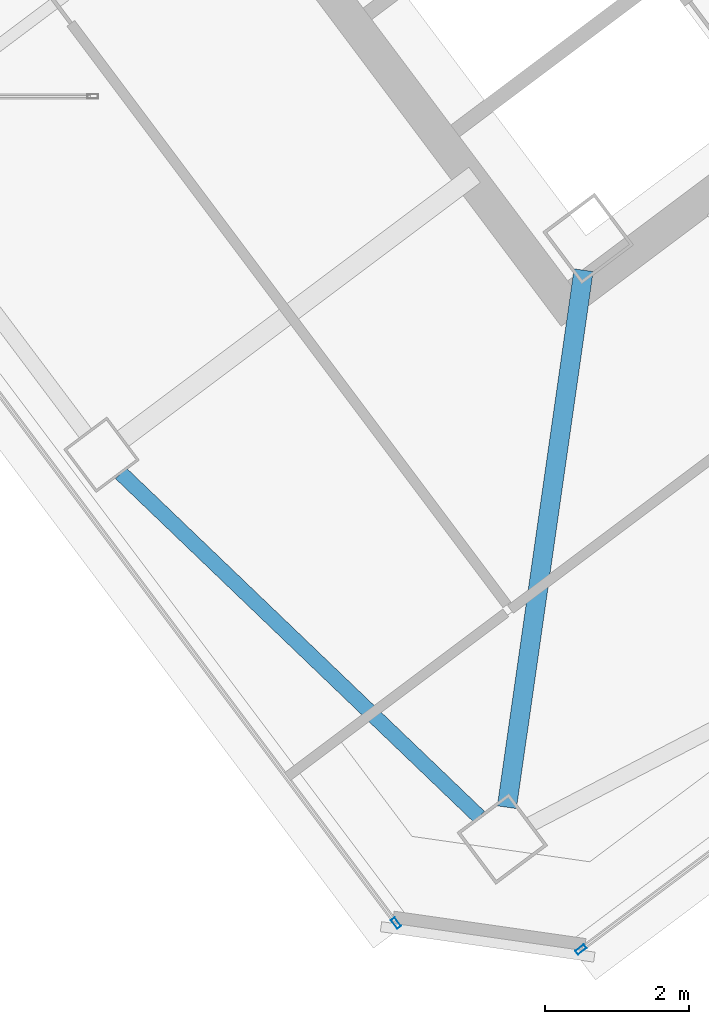
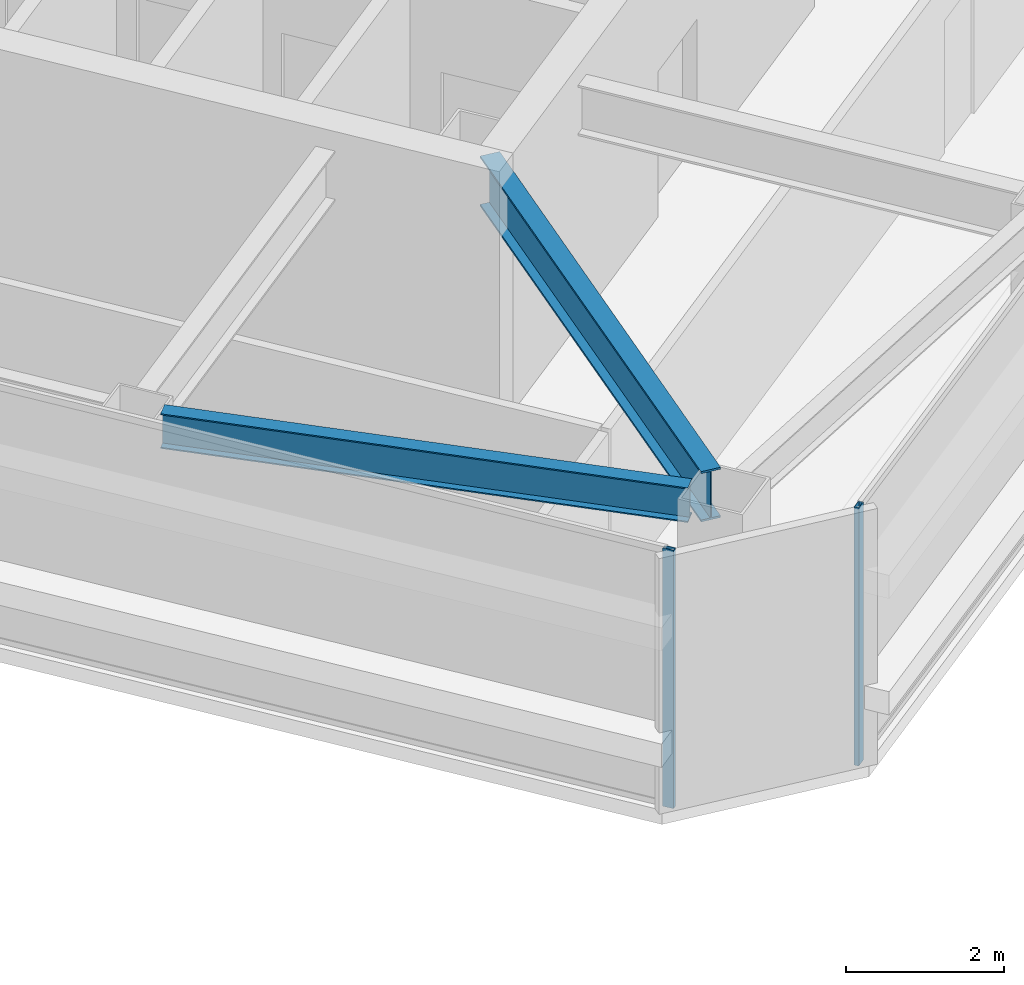
# One storey, part 28 of 51: 2 beams, 2 members, 2 elements without a shape of their own.
"""IFC4 building model written with IfcOpenShell, lengths in metres."""

import ifcopenshell
import ifcopenshell.guid

model = None  # the IFC model being written
_history = None  # IfcOwnerHistory: only IFC2X3 demands one
_inside = {}  # id of a spatial element -> (the spatial element, [elements in it])
_under = {}  # id of a project, library or spatial element -> (it, [spatial elements below it])
_declared = {}  # id of a project -> (the project, [libraries it declares])
_typed = {}  # id of a type object -> (the type object, [elements of that type])
_made_of = {}  # id of a material, layer set ... -> (it, [elements and type objects made of it])


def new_model(schema):
    """Start an empty IFC model of exactly this schema.

    Asked for "IFC4X3", IfcOpenShell would pick the latest addendum, in which some entities
    have other attributes; the version numbers below select the first issue.
    IFC2X3 requires an IfcOwnerHistory on every rooted entity: one is made here for all.
    """
    global model, _history
    if schema == "IFC4X3":
        model = ifcopenshell.file(schema_version=(4, 3, 0, 0))
    else:
        model = ifcopenshell.file(schema=schema)
    _inside.clear()
    _under.clear()
    _declared.clear()
    _typed.clear()
    _made_of.clear()
    _history = None
    if model.schema == "IFC2X3":
        org = make("IfcOrganization", Name="unknown")
        user = make(
            "IfcPersonAndOrganization",
            ThePerson=make("IfcPerson", FamilyName="unknown"),
            TheOrganization=org,
        )
        app = make(
            "IfcApplication",
            ApplicationDeveloper=org,
            Version="unknown",
            ApplicationFullName="unknown",
            ApplicationIdentifier="unknown",
        )
        _history = make(
            "IfcOwnerHistory",
            OwningUser=user,
            OwningApplication=app,
            ChangeAction="ADDED",
            CreationDate=0,
        )
    return model


def make(cls, **values):
    """One entity of the class cls with the attributes given. An attribute that is None is left unset."""
    return model.create_entity(
        cls, **{name: value for name, value in values.items() if value is not None}
    )


def rooted(cls, **values):
    """An entity with a GlobalId (a new one), such as an element, a storey or a relation."""
    return make(cls, GlobalId=ifcopenshell.guid.new(), OwnerHistory=_history, **values)


def si_unit(unit_type, name, prefix=None):
    """IfcSIUnit, for example si_unit("LENGTHUNIT", "METRE", prefix="MILLI")."""
    return make("IfcSIUnit", UnitType=unit_type, Prefix=prefix, Name=name)


def assignment(units):
    """IfcUnitAssignment: the units of a project."""
    return None if units is None else make("IfcUnitAssignment", Units=units)


def point(xyz):
    """IfcCartesianPoint."""
    return None if xyz is None else make("IfcCartesianPoint", Coordinates=xyz)


def direction(xyz):
    """IfcDirection."""
    return None if xyz is None else make("IfcDirection", DirectionRatios=xyz)


def frame(location, z_axis=None, x_axis=None):
    """IfcAxis2Placement3D, a coordinate frame: its origin and axes. An axis left out is left unset."""
    return make(
        "IfcAxis2Placement3D",
        Location=point(location),
        Axis=direction(z_axis),
        RefDirection=direction(x_axis),
    )


def frame_2d(location, x_axis=None):
    """IfcAxis2Placement2D, a coordinate frame in the plane: its origin and x axis."""
    return make(
        "IfcAxis2Placement2D", Location=point(location), RefDirection=direction(x_axis)
    )


def origin():
    """The frame at (0, 0, 0) with its axes left unset."""
    return frame((0.0, 0.0, 0.0))


def origin_2d():
    """The frame at (0, 0) in the plane with its x axis left unset."""
    return frame_2d((0.0, 0.0))


def place(relative_to, where):
    """IfcLocalPlacement: puts the frame where relative to a parent placement (None: the world)."""
    return make(
        "IfcLocalPlacement", PlacementRelTo=relative_to, RelativePlacement=where
    )


def context(
    kind, dimensions, precision=None, world=None, true_north=None, identifier=None
):
    """IfcGeometricRepresentationContext, for example the 3D "Model" context."""
    return make(
        "IfcGeometricRepresentationContext",
        ContextIdentifier=identifier,
        ContextType=kind,
        CoordinateSpaceDimension=dimensions,
        Precision=precision,
        WorldCoordinateSystem=world,
        TrueNorth=true_north,
    )


def subcontext(parent, identifier, kind, view, scale=None):
    """IfcGeometricRepresentationSubContext, for example "Body" below "Model"."""
    return make(
        "IfcGeometricRepresentationSubContext",
        ContextIdentifier=identifier,
        ContextType=kind,
        ParentContext=parent,
        TargetScale=scale,
        TargetView=view,
    )


def project(units=None, contexts=None):
    """IfcProject with its units and contexts."""
    return rooted(
        "IfcProject",
        Name="project",
        RepresentationContexts=contexts,
        UnitsInContext=assignment(units),
    )


def spatial(cls, under=None, at=None, **own):
    """A site, building, storey or space (cls), placed at a placement, below another one or the project."""
    s = rooted(cls, ObjectPlacement=at, **own)
    if under is not None:
        _under.setdefault(under.id(), (under, []))[1].append(s)
    return s


def profile(cls, at=None, kind="AREA", **sizes):
    """A parametric profile (cls). Its sizes go by their IFC names, for example OverallWidth=200.0."""
    return make(cls, ProfileType=kind, Position=at, **sizes)


def hollow_rectangle(**sizes):
    """IfcRectangleHollowProfileDef."""
    return profile("IfcRectangleHollowProfileDef", **sizes)


def i_section(**sizes):
    """IfcIShapeProfileDef."""
    return profile("IfcIShapeProfileDef", **sizes)


def extrude(swept, where, along, depth):
    """IfcExtrudedAreaSolid: the profile swept, set in the frame where, extruded along a direction by depth."""
    return make(
        "IfcExtrudedAreaSolid",
        SweptArea=swept,
        Position=where,
        ExtrudedDirection=direction(along),
        Depth=depth,
    )


def shape(context_of_items, identifier, shape_type, items):
    """IfcShapeRepresentation: the items that make up one representation, for example the "Body"."""
    return make(
        "IfcShapeRepresentation",
        ContextOfItems=context_of_items,
        RepresentationIdentifier=identifier,
        RepresentationType=shape_type,
        Items=items,
    )


def material(Name=None, Category=None):
    """IfcMaterial."""
    return make("IfcMaterial", Name=Name, Category=Category)


def material_profile(
    of_material, cross_section, Name=None, Category=None, Priority=None
):
    """IfcMaterialProfile: a cross section and its material."""
    return make(
        "IfcMaterialProfile",
        Name=Name,
        Material=of_material,
        Profile=cross_section,
        Priority=Priority,
        Category=Category,
    )


def profile_set(profiles, Name=None, composite=None):
    """IfcMaterialProfileSet."""
    return make(
        "IfcMaterialProfileSet",
        Name=Name,
        MaterialProfiles=profiles,
        CompositeProfile=composite,
    )


def made_of(thing, what):
    """Note that an element or type object is made of a material, layer set ...; save() writes the relation."""
    if what is not None:
        _made_of.setdefault(what.id(), (what, []))[1].append(thing)
    return thing


def type_object(cls, material=None, **own):
    """A type object (cls), such as IfcWallType, which elements share."""
    return made_of(rooted(cls, **own), material)


def element(
    cls,
    number,
    at=None,
    inside=None,
    cuts=None,
    type_object=None,
    material=None,
    context=None,
    identifier="Body",
    shape_type=None,
    held_by="IfcProductDefinitionShape",
    body=None,
    shapes=None,
    **own,
):
    """One element of the class cls, such as IfcWall. Its Tag is "e" and its number.

    at: its placement. inside: the storey or other place that contains it. cuts: it is an
    opening in that element (IfcRelVoidsElement). A single representation is given by context,
    identifier, shape_type and body (its items); several are given by shapes. held_by: the class
    of the entity that holds the representations. save() writes the other relations.
    """
    e = rooted(cls, Tag="e%d" % number, ObjectPlacement=at, **own)
    if body is not None:
        shapes = [shape(context, identifier, shape_type, body)]
    if shapes is not None:
        e.Representation = make(held_by, Representations=shapes)
    if inside is not None:
        _inside.setdefault(inside.id(), (inside, []))[1].append(e)
    if cuts is not None:
        rooted(
            "IfcRelVoidsElement", RelatingBuildingElement=cuts, RelatedOpeningElement=e
        )
    if type_object is not None:
        _typed.setdefault(type_object.id(), (type_object, []))[1].append(e)
    return made_of(e, material)


def aggregate(whole, parts):
    """IfcRelAggregates: a whole, such as a stair, and the parts it consists of."""
    return rooted("IfcRelAggregates", RelatingObject=whole, RelatedObjects=parts)


def save(model, path):
    """Write the relations noted so far, then the file.

    IfcRelAggregates (storeys below a building ...), IfcRelContainedInSpatialStructure (elements
    in a storey), IfcRelDefinesByType, IfcRelAssociatesMaterial and IfcRelDeclares: one each for
    every whole, place, type object, material and project.
    """
    for whole, parts in _under.values():
        aggregate(whole, parts)
    for where, things in _inside.values():
        rooted(
            "IfcRelContainedInSpatialStructure",
            RelatedElements=things,
            RelatingStructure=where,
        )
    for kind, things in _typed.values():
        rooted("IfcRelDefinesByType", RelatedObjects=things, RelatingType=kind)
    for what, things in _made_of.values():
        rooted("IfcRelAssociatesMaterial", RelatedObjects=things, RelatingMaterial=what)
    for by, libraries in _declared.values():
        rooted("IfcRelDeclares", RelatingContext=by, RelatedDefinitions=libraries)
    model.write(path)


model = new_model("IFC4")

# Units and contexts
model_context = context("Model", 3, precision=1e-05, world=origin(), true_north=direction((0.0, 1.0)))
body_context = subcontext(model_context, "Body", "Model", "MODEL_VIEW")
ifc_project = project(units=[si_unit("LENGTHUNIT", "METRE"), si_unit("AREAUNIT", "SQUARE_METRE"), si_unit("VOLUMEUNIT", "CUBIC_METRE"), si_unit("PLANEANGLEUNIT", "RADIAN"), si_unit("MASSUNIT", "GRAM", prefix="KILO")], contexts=[model_context])

# Site, building, storey
site_placement = place(None, origin())
site = spatial("IfcSite", under=ifc_project, at=site_placement, CompositionType="ELEMENT")
building_placement = place(site_placement, origin())
building = spatial("IfcBuilding", under=site, at=building_placement, Name="Tashvorn Skyway Center", CompositionType="ELEMENT")
storey_placement = place(building_placement, frame((0.0, 0.0, 259.39990234375)))
storey = spatial("IfcBuildingStorey", under=building, at=storey_placement, Name="L70", CompositionType="ELEMENT", Elevation=259.39990234375)

# Beams
ifc_material_1 = material(Name="Steel ASTM A992 Grade 50", Category="steel")
ifc_material_profile_1 = material_profile(ifc_material_1, i_section(OverallWidth=0.26708984375, OverallDepth=0.779052734375, WebThickness=0.0166015625, FlangeThickness=0.030029296875, at=origin_2d()), Name="W30X148")
ifc_profile_set_1 = profile_set([ifc_material_profile_1], Name="Steel ASTM A992 Grade 50")
beam_type_1 = type_object("IfcBeamType", Name="BM-BEAM-W30X148", PredefinedType="BEAM", material=ifc_profile_set_1)
beam_1_placement = place(storey_placement, frame((111.462890625, 14.240478515625, 3.310546875), z_axis=(0.141430441004, 0.989948195795, 0.0), x_axis=(-0.989948195795, 0.141430441004, 0.0)))
element("IfcBeam", 1, at=beam_1_placement, inside=storey, type_object=beam_type_1, Name="Tower 2 L70 Primary Floor Girder MC-SW", PredefinedType="BEAM", context=body_context, shape_type="SweptSolid", body=[
    extrude(i_section(OverallWidth=0.26708984375, OverallDepth=0.779052734375, WebThickness=0.0166015625, FlangeThickness=0.030029296875, at=origin_2d()), origin(), (0.0, 0.0, 1.0), 7.524658203125),
])
ifc_material_profile_2 = material_profile(ifc_material_1, i_section(OverallWidth=0.2109375, OverallDepth=0.5390625, WebThickness=0.01171875, FlangeThickness=0.018798828125, at=origin_2d()), Name="W21X73")
ifc_profile_set_2 = profile_set([ifc_material_profile_2], Name="Steel ASTM A992 Grade 50")
beam_type_2 = type_object("IfcBeamType", Name="BM-SPANDREL-W21X73", PredefinedType="SPANDREL", material=ifc_profile_set_2)
beam_2_placement = place(storey_placement, frame((106.107177734375, 18.8740234375, 3.4306640625), z_axis=(0.721873091786, -0.692025461493, 0.0), x_axis=(0.692025461493, 0.721873091786, 0.0)))
element("IfcBeam", 2, at=beam_2_placement, inside=storey, type_object=beam_type_2, Name="Tower 2 L70 Spandrel Beam 12", PredefinedType="SPANDREL", context=body_context, shape_type="SweptSolid", body=[
    extrude(i_section(OverallWidth=0.2109375, OverallDepth=0.5390625, WebThickness=0.01171875, FlangeThickness=0.018798828125, at=origin_2d()), origin(), (0.0, 0.0, 1.0), 6.88720703125),
])

# Curtain wall, member
ifc_material_2 = material(Name="Thermally broken bronze-anodized aluminium 6063-T6", Category="aluminium")
curtain_wall_type = type_object("IfcCurtainWallType", Name="CW-CW-SKY", PredefinedType="NOTDEFINED", material=ifc_material_2)
curtain_wall_1_placement = place(storey_placement, origin())
curtain_wall_1 = element("IfcCurtainWall", 3, at=curtain_wall_1_placement, inside=storey, type_object=curtain_wall_type, Name="Tower 2 L70 South Unitised Curtain Wall", PredefinedType="NOTDEFINED")
ifc_material_profile_3 = material_profile(ifc_material_2, hollow_rectangle(XDim=0.06494140625, YDim=0.14990234375, WallThickness=0.00390625, at=origin_2d()), Name="ALU-MULL-65x150")
ifc_profile_set_3 = profile_set([ifc_material_profile_3], Name="Thermally broken bronze-anodized aluminium 6063-T6")
member_type = type_object("IfcMemberType", Name="CWM-CW-SKY", PredefinedType="MULLION", material=ifc_profile_set_3)
member_1_placement = place(storey_placement, frame((112.489990234375, 12.267578125, 0.0), z_axis=(0.0, 0.0, 1.0), x_axis=(0.600000000002, -0.799999999998, 0.0)))
member_1 = element("IfcMember", 4, at=member_1_placement, type_object=member_type, Name="CW-SKY mullion 4", PredefinedType="MULLION", context=body_context, shape_type="SweptSolid", body=[
    extrude(hollow_rectangle(XDim=0.06494140625, YDim=0.14990234375, WallThickness=0.00390625, at=origin_2d()), origin(), (0.0, 0.0, 1.0), 4.0),
])
aggregate(curtain_wall_1, [member_1])

curtain_wall_2_placement = place(storey_placement, origin())
curtain_wall_2 = element("IfcCurtainWall", 5, at=curtain_wall_2_placement, inside=storey, type_object=curtain_wall_type, Name="Tower 2 L70 West Curtain Wall A", PredefinedType="NOTDEFINED")
member_2_placement = place(storey_placement, frame((109.924560546875, 12.634033203125, 0.0), z_axis=(0.0, 0.0, 1.0), x_axis=(-0.799999999998, -0.600000000002, 0.0)))
member_2 = element("IfcMember", 6, at=member_2_placement, type_object=member_type, Name="CW-SKY mullion 1", PredefinedType="MULLION", context=body_context, shape_type="SweptSolid", body=[
    extrude(hollow_rectangle(XDim=0.06494140625, YDim=0.14990234375, WallThickness=0.00390625, at=origin_2d()), origin(), (0.0, 0.0, 1.0), 4.0),
])
aggregate(curtain_wall_2, [member_2])

save(model, "model.ifc")
